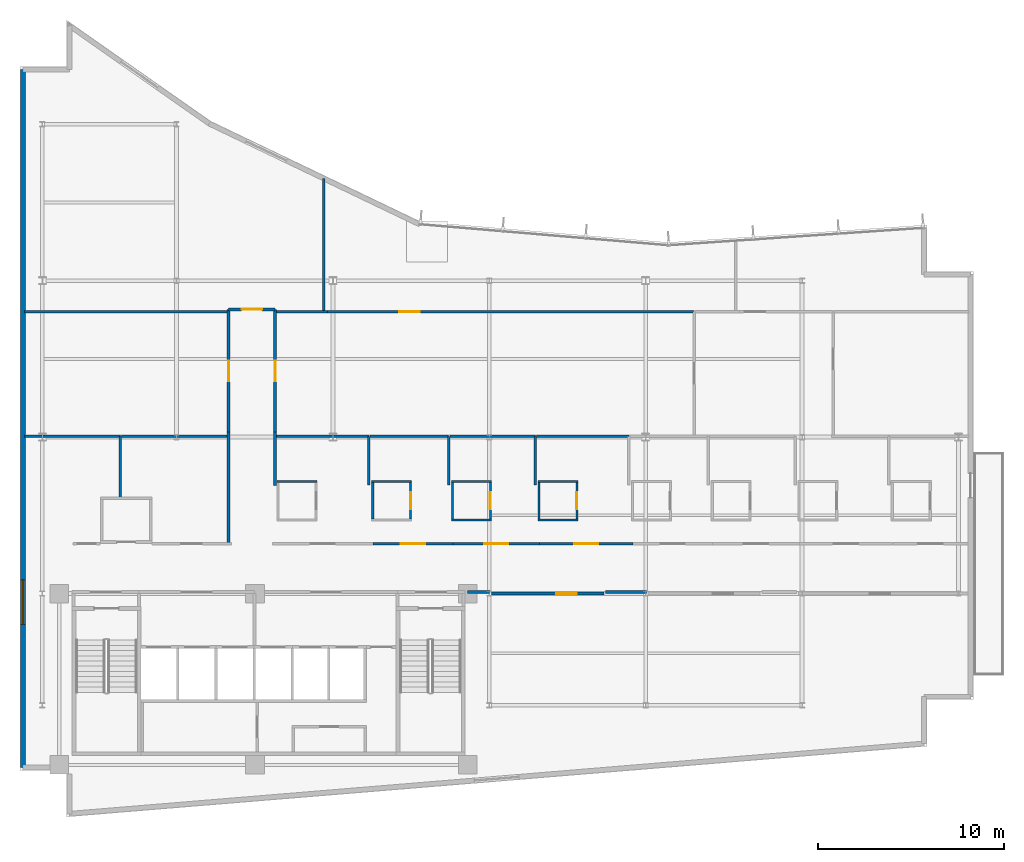
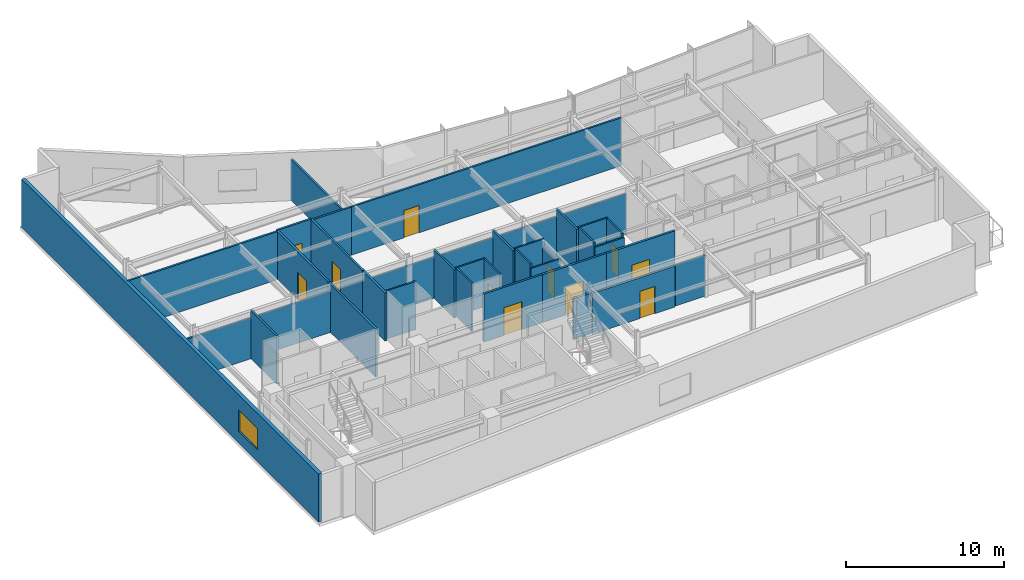
# One storey, part 10 of 15: 38 walls, 11 doors, 1 window, 12 openings.
"""IFC4 building model written with IfcOpenShell, lengths in metres."""

import ifcopenshell
import ifcopenshell.guid

model = None  # the IFC model being written
_history = None  # IfcOwnerHistory: only IFC2X3 demands one
_inside = {}  # id of a spatial element -> (the spatial element, [elements in it])
_under = {}  # id of a project, library or spatial element -> (it, [spatial elements below it])
_declared = {}  # id of a project -> (the project, [libraries it declares])
_typed = {}  # id of a type object -> (the type object, [elements of that type])
_made_of = {}  # id of a material, layer set ... -> (it, [elements and type objects made of it])


def new_model(schema):
    """Start an empty IFC model of exactly this schema.

    Asked for "IFC4X3", IfcOpenShell would pick the latest addendum, in which some entities
    have other attributes; the version numbers below select the first issue.
    IFC2X3 requires an IfcOwnerHistory on every rooted entity: one is made here for all.
    """
    global model, _history
    if schema == "IFC4X3":
        model = ifcopenshell.file(schema_version=(4, 3, 0, 0))
    else:
        model = ifcopenshell.file(schema=schema)
    _inside.clear()
    _under.clear()
    _declared.clear()
    _typed.clear()
    _made_of.clear()
    _history = None
    if model.schema == "IFC2X3":
        org = make("IfcOrganization", Name="unknown")
        user = make(
            "IfcPersonAndOrganization",
            ThePerson=make("IfcPerson", FamilyName="unknown"),
            TheOrganization=org,
        )
        app = make(
            "IfcApplication",
            ApplicationDeveloper=org,
            Version="unknown",
            ApplicationFullName="unknown",
            ApplicationIdentifier="unknown",
        )
        _history = make(
            "IfcOwnerHistory",
            OwningUser=user,
            OwningApplication=app,
            ChangeAction="ADDED",
            CreationDate=0,
        )
    return model


def make(cls, **values):
    """One entity of the class cls with the attributes given. An attribute that is None is left unset."""
    return model.create_entity(
        cls, **{name: value for name, value in values.items() if value is not None}
    )


def rooted(cls, **values):
    """An entity with a GlobalId (a new one), such as an element, a storey or a relation."""
    return make(cls, GlobalId=ifcopenshell.guid.new(), OwnerHistory=_history, **values)


def si_unit(unit_type, name, prefix=None):
    """IfcSIUnit, for example si_unit("LENGTHUNIT", "METRE", prefix="MILLI")."""
    return make("IfcSIUnit", UnitType=unit_type, Prefix=prefix, Name=name)


def assignment(units):
    """IfcUnitAssignment: the units of a project."""
    return None if units is None else make("IfcUnitAssignment", Units=units)


def point(xyz):
    """IfcCartesianPoint."""
    return None if xyz is None else make("IfcCartesianPoint", Coordinates=xyz)


def direction(xyz):
    """IfcDirection."""
    return None if xyz is None else make("IfcDirection", DirectionRatios=xyz)


def frame(location, z_axis=None, x_axis=None):
    """IfcAxis2Placement3D, a coordinate frame: its origin and axes. An axis left out is left unset."""
    return make(
        "IfcAxis2Placement3D",
        Location=point(location),
        Axis=direction(z_axis),
        RefDirection=direction(x_axis),
    )


def frame_2d(location, x_axis=None):
    """IfcAxis2Placement2D, a coordinate frame in the plane: its origin and x axis."""
    return make(
        "IfcAxis2Placement2D", Location=point(location), RefDirection=direction(x_axis)
    )


def origin():
    """The frame at (0, 0, 0) with its axes left unset."""
    return frame((0.0, 0.0, 0.0))


def place(relative_to, where):
    """IfcLocalPlacement: puts the frame where relative to a parent placement (None: the world)."""
    return make(
        "IfcLocalPlacement", PlacementRelTo=relative_to, RelativePlacement=where
    )


def context(
    kind, dimensions, precision=None, world=None, true_north=None, identifier=None
):
    """IfcGeometricRepresentationContext, for example the 3D "Model" context."""
    return make(
        "IfcGeometricRepresentationContext",
        ContextIdentifier=identifier,
        ContextType=kind,
        CoordinateSpaceDimension=dimensions,
        Precision=precision,
        WorldCoordinateSystem=world,
        TrueNorth=true_north,
    )


def subcontext(parent, identifier, kind, view, scale=None):
    """IfcGeometricRepresentationSubContext, for example "Body" below "Model"."""
    return make(
        "IfcGeometricRepresentationSubContext",
        ContextIdentifier=identifier,
        ContextType=kind,
        ParentContext=parent,
        TargetScale=scale,
        TargetView=view,
    )


def project(units=None, contexts=None):
    """IfcProject with its units and contexts."""
    return rooted(
        "IfcProject",
        Name="project",
        RepresentationContexts=contexts,
        UnitsInContext=assignment(units),
    )


def spatial(cls, under=None, at=None, **own):
    """A site, building, storey or space (cls), placed at a placement, below another one or the project."""
    s = rooted(cls, ObjectPlacement=at, **own)
    if under is not None:
        _under.setdefault(under.id(), (under, []))[1].append(s)
    return s


def profile(cls, at=None, kind="AREA", **sizes):
    """A parametric profile (cls). Its sizes go by their IFC names, for example OverallWidth=200.0."""
    return make(cls, ProfileType=kind, Position=at, **sizes)


def rectangle(**sizes):
    """IfcRectangleProfileDef."""
    return profile("IfcRectangleProfileDef", **sizes)


def extrude(swept, where, along, depth):
    """IfcExtrudedAreaSolid: the profile swept, set in the frame where, extruded along a direction by depth."""
    return make(
        "IfcExtrudedAreaSolid",
        SweptArea=swept,
        Position=where,
        ExtrudedDirection=direction(along),
        Depth=depth,
    )


def shape(context_of_items, identifier, shape_type, items):
    """IfcShapeRepresentation: the items that make up one representation, for example the "Body"."""
    return make(
        "IfcShapeRepresentation",
        ContextOfItems=context_of_items,
        RepresentationIdentifier=identifier,
        RepresentationType=shape_type,
        Items=items,
    )


def material(Name=None, Category=None):
    """IfcMaterial."""
    return make("IfcMaterial", Name=Name, Category=Category)


def layer(
    of_material, thickness, ventilated=None, Name=None, Category=None, Priority=None
):
    """IfcMaterialLayer: one layer of a wall or slab, of a material (None: an air gap)."""
    return make(
        "IfcMaterialLayer",
        Material=of_material,
        LayerThickness=thickness,
        IsVentilated=ventilated,
        Name=Name,
        Category=Category,
        Priority=Priority,
    )


def layer_set(layers, Name=None):
    """IfcMaterialLayerSet."""
    return make("IfcMaterialLayerSet", MaterialLayers=layers, LayerSetName=Name)


def made_of(thing, what):
    """Note that an element or type object is made of a material, layer set ...; save() writes the relation."""
    if what is not None:
        _made_of.setdefault(what.id(), (what, []))[1].append(thing)
    return thing


def type_object(cls, material=None, **own):
    """A type object (cls), such as IfcWallType, which elements share."""
    return made_of(rooted(cls, **own), material)


def element(
    cls,
    number,
    at=None,
    inside=None,
    cuts=None,
    type_object=None,
    material=None,
    context=None,
    identifier="Body",
    shape_type=None,
    held_by="IfcProductDefinitionShape",
    body=None,
    shapes=None,
    **own,
):
    """One element of the class cls, such as IfcWall. Its Tag is "e" and its number.

    at: its placement. inside: the storey or other place that contains it. cuts: it is an
    opening in that element (IfcRelVoidsElement). A single representation is given by context,
    identifier, shape_type and body (its items); several are given by shapes. held_by: the class
    of the entity that holds the representations. save() writes the other relations.
    """
    e = rooted(cls, Tag="e%d" % number, ObjectPlacement=at, **own)
    if body is not None:
        shapes = [shape(context, identifier, shape_type, body)]
    if shapes is not None:
        e.Representation = make(held_by, Representations=shapes)
    if inside is not None:
        _inside.setdefault(inside.id(), (inside, []))[1].append(e)
    if cuts is not None:
        rooted(
            "IfcRelVoidsElement", RelatingBuildingElement=cuts, RelatedOpeningElement=e
        )
    if type_object is not None:
        _typed.setdefault(type_object.id(), (type_object, []))[1].append(e)
    return made_of(e, material)


def fill(opening, filler):
    """IfcRelFillsElement: the door or window that sits in an opening."""
    return rooted(
        "IfcRelFillsElement",
        RelatingOpeningElement=opening,
        RelatedBuildingElement=filler,
    )


def aggregate(whole, parts):
    """IfcRelAggregates: a whole, such as a stair, and the parts it consists of."""
    return rooted("IfcRelAggregates", RelatingObject=whole, RelatedObjects=parts)


def save(model, path):
    """Write the relations noted so far, then the file.

    IfcRelAggregates (storeys below a building ...), IfcRelContainedInSpatialStructure (elements
    in a storey), IfcRelDefinesByType, IfcRelAssociatesMaterial and IfcRelDeclares: one each for
    every whole, place, type object, material and project.
    """
    for whole, parts in _under.values():
        aggregate(whole, parts)
    for where, things in _inside.values():
        rooted(
            "IfcRelContainedInSpatialStructure",
            RelatedElements=things,
            RelatingStructure=where,
        )
    for kind, things in _typed.values():
        rooted("IfcRelDefinesByType", RelatedObjects=things, RelatingType=kind)
    for what, things in _made_of.values():
        rooted("IfcRelAssociatesMaterial", RelatedObjects=things, RelatingMaterial=what)
    for by, libraries in _declared.values():
        rooted("IfcRelDeclares", RelatingContext=by, RelatedDefinitions=libraries)
    model.write(path)


model = new_model("IFC4")

# Units and contexts
model_context = context("Model", 3, precision=1e-05, world=origin(), true_north=direction((0.0, 1.0)))
body_context = subcontext(model_context, "Body", "Model", "MODEL_VIEW")
ifc_project = project(units=[si_unit("LENGTHUNIT", "METRE"), si_unit("AREAUNIT", "SQUARE_METRE"), si_unit("VOLUMEUNIT", "CUBIC_METRE"), si_unit("PLANEANGLEUNIT", "RADIAN"), si_unit("MASSUNIT", "GRAM", prefix="KILO")], contexts=[model_context])

# Site, building, storey
site_placement = place(None, origin())
site = spatial("IfcSite", under=ifc_project, at=site_placement, CompositionType="ELEMENT")
building_placement = place(site_placement, origin())
building = spatial("IfcBuilding", under=site, at=building_placement, Name="Varnakote Quay Hospital", CompositionType="ELEMENT")
storey_placement = place(building_placement, frame((0.0, 0.0, 200.0)))
storey = spatial("IfcBuildingStorey", under=building, at=storey_placement, Name="L49", CompositionType="ELEMENT", Elevation=200.0)

# Walls
ifc_material_1 = material(Name="Fire-rated acoustic gypsum stud wall", Category="gypsum")
ifc_layer_1 = layer(ifc_material_1, 0.159912109375)
ifc_layer_set_1 = layer_set([ifc_layer_1], Name="Fire-rated acoustic gypsum stud wall")
wall_type_1 = type_object("IfcWallType", Name="WL-COMP-160", PredefinedType="PARTITIONING", material=ifc_layer_set_1)
wall_1_placement = place(storey_placement, frame((24.02001953125, 12.080078125, 0.0), z_axis=(0.0, 0.0, 1.0), x_axis=(1.0, 0.0, 0.0)))
element("IfcWall", 1, at=wall_1_placement, inside=storey, type_object=wall_type_1, Name="L49 Corridor South Gap Wall", PredefinedType="PARTITIONING", context=body_context, shape_type="SweptSolid", body=[
    extrude(rectangle(XDim=1.21875, YDim=0.159912109375, at=frame_2d((0.609375, 0.0))), origin(), (0.0, 0.0, 1.0), 3.152099609375),
])
wall_2_placement = place(storey_placement, frame((31.439208984375, 12.080078125, 0.0), z_axis=(0.0, 0.0, 1.0), x_axis=(1.0, 0.0, 0.0)))
element("IfcWall", 2, at=wall_2_placement, inside=storey, type_object=wall_type_1, Name="L49 Corridor South Gap Wall", PredefinedType="PARTITIONING", context=body_context, shape_type="SweptSolid", body=[
    extrude(rectangle(XDim=2.199462890625, YDim=0.159912109375, at=frame_2d((1.099609375, 0.0))), origin(), (0.0, 0.0, 1.0), 3.152099609375),
])
ifc_material_2 = material(Name="Moisture-resistant bathroom partition", Category="gypsum")
ifc_layer_2 = layer(ifc_material_2, 0.114990234375)
ifc_layer_set_2 = layer_set([ifc_layer_2], Name="Moisture-resistant bathroom partition")
wall_type_2 = type_object("IfcWallType", Name="WL-ENS-115", PredefinedType="PARTITIONING", material=ifc_layer_set_2)
wall_3_placement = place(storey_placement, frame((13.804931640625, 18.017578125, 0.0), z_axis=(0.0, 0.0, 1.0), x_axis=(1.0, 0.0, 0.0)))
element("IfcWall", 3, at=wall_3_placement, inside=storey, type_object=wall_type_2, Name="L49 Inpatient En-Suite Bathroom 01 N Wall", PredefinedType="PARTITIONING", context=body_context, shape_type="SweptSolid", body=[
    extrude(rectangle(XDim=2.150146484375, YDim=0.114990234375, at=frame_2d((1.0751953125, 0.0))), origin(), (0.0, 0.0, 1.0), 3.7099609375),
])
wall_4_placement = place(storey_placement, frame((18.885009765625, 18.017578125, 0.0), z_axis=(0.0, 0.0, 1.0), x_axis=(1.0, 0.0, 0.0)))
element("IfcWall", 4, at=wall_4_placement, inside=storey, type_object=wall_type_2, Name="L49 Inpatient En-Suite Bathroom 02 N Wall", PredefinedType="PARTITIONING", context=body_context, shape_type="SweptSolid", body=[
    extrude(rectangle(XDim=2.14990234375, YDim=0.114990234375, at=frame_2d((1.074951171875, 0.0))), origin(), (0.0, 0.0, 1.0), 3.7099609375),
])
wall_5_placement = place(storey_placement, frame((18.9423828125, 16.010009765625, 0.0), z_axis=(0.0, 0.0, 1.0), x_axis=(0.0, 1.0, 0.0)))
element("IfcWall", 5, at=wall_5_placement, inside=storey, type_object=wall_type_2, Name="L49 Inpatient En-Suite Bathroom 02 W Wall", PredefinedType="PARTITIONING", context=body_context, shape_type="SweptSolid", body=[
    extrude(rectangle(XDim=1.949951171875, YDim=0.114990234375, at=frame_2d((0.97509765625, 0.0))), origin(), (0.0, 0.0, 1.0), 3.7099609375),
])

# Wall, opening, door
wall_6_placement = place(storey_placement, frame((20.9775390625, 16.010009765625, 0.0), z_axis=(0.0, 0.0, 1.0), x_axis=(0.0, 1.0, 0.0)))
wall_6 = element("IfcWall", 6, at=wall_6_placement, inside=storey, type_object=wall_type_2, Name="L49 Inpatient En-Suite Bathroom 02 E Wall", PredefinedType="PARTITIONING", context=body_context, shape_type="SweptSolid", body=[
    extrude(rectangle(XDim=1.949951171875, YDim=0.114990234375, at=frame_2d((0.97509765625, 0.0))), origin(), (0.0, 0.0, 1.0), 3.7099609375),
])
opening_1_placement = place(wall_6_placement, frame((0.514892578125, 0.0, 0.0)))
opening_1 = element("IfcOpeningElement", 7, at=opening_1_placement, cuts=wall_6, Name="Opening D-L49-ENS02", PredefinedType="OPENING", context=body_context, shape_type="SweptSolid", body=[
    extrude(rectangle(XDim=0.919921875, YDim=2.10009765625, at=frame_2d((0.4599609375, 1.050048828125))), frame((0.0, 0.0673828125, 0.0), z_axis=(0.0, -1.0, 0.0), x_axis=(1.0, 0.0, 0.0)), (0.0, 0.0, 1.0), 0.135009765625),
])
ifc_material_3 = material(Name="Moisture-sealed en-suite bathroom door")
door_type_1 = type_object("IfcDoorType", Name="DR-ENS-920x2100", OperationType="NOTDEFINED", PredefinedType="DOOR", material=ifc_material_3)
door_1_placement = place(opening_1_placement, origin())
door_1 = element("IfcDoor", 8, at=door_1_placement, inside=storey, type_object=door_type_1, Name="L49 Inpatient En-Suite Bathroom 02 Door", OperationType="SINGLE_SWING_LEFT", OverallHeight=2.10009765625, OverallWidth=0.919921875, PredefinedType="DOOR", context=body_context, shape_type="SweptSolid", body=[
    extrude(rectangle(XDim=0.919921875, YDim=2.10009765625, at=frame_2d((0.4599609375, 1.050048828125))), frame((0.0, 0.02490234375, 0.0), z_axis=(0.0, -1.0, 0.0), x_axis=(1.0, 0.0, 0.0)), (0.0, 0.0, 1.0), 0.050048828125),
])
fill(opening_1, door_1)

# Walls
wall_7_placement = place(storey_placement, frame((23.1650390625, 15.952392578125, 0.0), z_axis=(0.0, 0.0, 1.0), x_axis=(1.0, 0.0, 0.0)))
element("IfcWall", 9, at=wall_7_placement, inside=storey, type_object=wall_type_2, Name="L49 Inpatient En-Suite Bathroom 03 S Wall", PredefinedType="PARTITIONING", context=body_context, shape_type="SweptSolid", body=[
    extrude(rectangle(XDim=2.14990234375, YDim=0.114990234375, at=frame_2d((1.074951171875, 0.0))), origin(), (0.0, 0.0, 1.0), 3.428955078125),
])
wall_8_placement = place(storey_placement, frame((23.1650390625, 18.017578125, 0.0), z_axis=(0.0, 0.0, 1.0), x_axis=(1.0, 0.0, 0.0)))
element("IfcWall", 10, at=wall_8_placement, inside=storey, type_object=wall_type_2, Name="L49 Inpatient En-Suite Bathroom 03 N Wall", PredefinedType="PARTITIONING", context=body_context, shape_type="SweptSolid", body=[
    extrude(rectangle(XDim=2.14990234375, YDim=0.114990234375, at=frame_2d((1.074951171875, 0.0))), origin(), (0.0, 0.0, 1.0), 3.7099609375),
])
wall_9_placement = place(storey_placement, frame((23.222412109375, 16.010009765625, 0.0), z_axis=(0.0, 0.0, 1.0), x_axis=(0.0, 1.0, 0.0)))
element("IfcWall", 11, at=wall_9_placement, inside=storey, type_object=wall_type_2, Name="L49 Inpatient En-Suite Bathroom 03 W Wall", PredefinedType="PARTITIONING", context=body_context, shape_type="SweptSolid", body=[
    extrude(rectangle(XDim=1.949951171875, YDim=0.114990234375, at=frame_2d((0.97509765625, 0.0))), origin(), (0.0, 0.0, 1.0), 3.7099609375),
])

# Wall, opening, door
wall_10_placement = place(storey_placement, frame((25.257568359375, 16.010009765625, 0.0), z_axis=(0.0, 0.0, 1.0), x_axis=(0.0, 1.0, 0.0)))
wall_10 = element("IfcWall", 12, at=wall_10_placement, inside=storey, type_object=wall_type_2, Name="L49 Inpatient En-Suite Bathroom 03 E Wall", PredefinedType="PARTITIONING", context=body_context, shape_type="SweptSolid", body=[
    extrude(rectangle(XDim=1.949951171875, YDim=0.114990234375, at=frame_2d((0.97509765625, 0.0))), origin(), (0.0, 0.0, 1.0), 3.156982421875),
])
opening_2_placement = place(wall_10_placement, frame((0.514892578125, 0.0, 0.0)))
opening_2 = element("IfcOpeningElement", 13, at=opening_2_placement, cuts=wall_10, Name="Opening D-L49-ENS03", PredefinedType="OPENING", context=body_context, shape_type="SweptSolid", body=[
    extrude(rectangle(XDim=0.919921875, YDim=2.10009765625, at=frame_2d((0.4599609375, 1.050048828125))), frame((0.0, 0.0673828125, 0.0), z_axis=(0.0, -1.0, 0.0), x_axis=(1.0, 0.0, 0.0)), (0.0, 0.0, 1.0), 0.135009765625),
])
door_2_placement = place(opening_2_placement, origin())
door_2 = element("IfcDoor", 14, at=door_2_placement, inside=storey, type_object=door_type_1, Name="L49 Inpatient En-Suite Bathroom 03 Door", OperationType="SINGLE_SWING_RIGHT", OverallHeight=2.10009765625, OverallWidth=0.919921875, PredefinedType="DOOR", context=body_context, shape_type="SweptSolid", body=[
    extrude(rectangle(XDim=0.919921875, YDim=2.10009765625, at=frame_2d((0.4599609375, 1.050048828125))), frame((0.0, 0.02490234375, 0.0), z_axis=(0.0, -1.0, 0.0), x_axis=(1.0, 0.0, 0.0)), (0.0, 0.0, 1.0), 0.050048828125),
])
fill(opening_2, door_2)

# Walls
wall_11_placement = place(storey_placement, frame((27.81494140625, 15.952392578125, 0.0), z_axis=(0.0, 0.0, 1.0), x_axis=(1.0, 0.0, 0.0)))
element("IfcWall", 15, at=wall_11_placement, inside=storey, type_object=wall_type_2, Name="L49 Inpatient En-Suite Bathroom 04 S Wall", PredefinedType="PARTITIONING", context=body_context, shape_type="SweptSolid", body=[
    extrude(rectangle(XDim=2.150146484375, YDim=0.114990234375, at=frame_2d((1.0751953125, 0.0))), origin(), (0.0, 0.0, 1.0), 3.428955078125),
])
wall_12_placement = place(storey_placement, frame((27.81494140625, 18.017578125, 0.0), z_axis=(0.0, 0.0, 1.0), x_axis=(1.0, 0.0, 0.0)))
element("IfcWall", 16, at=wall_12_placement, inside=storey, type_object=wall_type_2, Name="L49 Inpatient En-Suite Bathroom 04 N Wall", PredefinedType="PARTITIONING", context=body_context, shape_type="SweptSolid", body=[
    extrude(rectangle(XDim=2.150146484375, YDim=0.114990234375, at=frame_2d((1.0751953125, 0.0))), origin(), (0.0, 0.0, 1.0), 3.7099609375),
])
wall_13_placement = place(storey_placement, frame((27.87255859375, 16.010009765625, 0.0), z_axis=(0.0, 0.0, 1.0), x_axis=(0.0, 1.0, 0.0)))
element("IfcWall", 17, at=wall_13_placement, inside=storey, type_object=wall_type_2, Name="L49 Inpatient En-Suite Bathroom 04 W Wall", PredefinedType="PARTITIONING", context=body_context, shape_type="SweptSolid", body=[
    extrude(rectangle(XDim=1.949951171875, YDim=0.114990234375, at=frame_2d((0.97509765625, 0.0))), origin(), (0.0, 0.0, 1.0), 3.7099609375),
])

# Wall, opening, door
wall_14_placement = place(storey_placement, frame((29.907470703125, 16.010009765625, 0.0), z_axis=(0.0, 0.0, 1.0), x_axis=(0.0, 1.0, 0.0)))
wall_14 = element("IfcWall", 18, at=wall_14_placement, inside=storey, type_object=wall_type_2, Name="L49 Inpatient En-Suite Bathroom 04 E Wall", PredefinedType="PARTITIONING", context=body_context, shape_type="SweptSolid", body=[
    extrude(rectangle(XDim=1.949951171875, YDim=0.114990234375, at=frame_2d((0.97509765625, 0.0))), origin(), (0.0, 0.0, 1.0), 3.7099609375),
])
opening_3_placement = place(wall_14_placement, frame((0.514892578125, 0.0, 0.0)))
opening_3 = element("IfcOpeningElement", 19, at=opening_3_placement, cuts=wall_14, Name="Opening D-L49-ENS04", PredefinedType="OPENING", context=body_context, shape_type="SweptSolid", body=[
    extrude(rectangle(XDim=0.919921875, YDim=2.10009765625, at=frame_2d((0.4599609375, 1.050048828125))), frame((0.0, 0.0673828125, 0.0), z_axis=(0.0, -1.0, 0.0), x_axis=(1.0, 0.0, 0.0)), (0.0, 0.0, 1.0), 0.135009765625),
])
door_3_placement = place(opening_3_placement, origin())
door_3 = element("IfcDoor", 20, at=door_3_placement, inside=storey, type_object=door_type_1, Name="L49 Inpatient En-Suite Bathroom 04 Door", OperationType="SINGLE_SWING_LEFT", OverallHeight=2.10009765625, OverallWidth=0.919921875, PredefinedType="DOOR", context=body_context, shape_type="SweptSolid", body=[
    extrude(rectangle(XDim=0.919921875, YDim=2.10009765625, at=frame_2d((0.4599609375, 1.050048828125))), frame((0.0, 0.02490234375, 0.0), z_axis=(0.0, -1.0, 0.0), x_axis=(1.0, 0.0, 0.0)), (0.0, 0.0, 1.0), 0.050048828125),
])
fill(opening_3, door_3)

# Wall, opening, window
ifc_material_4 = material(Name="Precast concrete N50 (f'c 50 MPa)", Category="concrete")
ifc_layer_3 = layer(ifc_material_4, 0.260009765625)
ifc_layer_set_3 = layer_set([ifc_layer_3], Name="Precast concrete N50 (f'c 50 MPa)")
wall_type_3 = type_object("IfcWallType", Name="WL-EXT-BRICK-260", PredefinedType="STANDARD", material=ifc_layer_set_3)
wall_15_placement = place(storey_placement, frame((0.159912109375, 40.139892578125, 0.0), z_axis=(0.0, 0.0, 1.0), x_axis=(0.0, -1.0, 0.0)))
wall_15 = element("IfcWall", 21, at=wall_15_placement, inside=storey, type_object=wall_type_3, Name="L49 Brick-Faced Precast Exterior Wall", PredefinedType="STANDARD", context=body_context, shape_type="SweptSolid", body=[
    extrude(rectangle(XDim=37.47998046875, YDim=0.260009765625, at=frame_2d((18.739990234375, 0.0))), origin(), (0.0, 0.0, 1.0), 3.7099609375),
])
opening_4_placement = place(wall_15_placement, frame((27.39990234375, 0.0, 0.89990234375)))
opening_4 = element("IfcOpeningElement", 22, at=opening_4_placement, cuts=wall_15, Name="Opening WN-0205", PredefinedType="OPENING", context=body_context, shape_type="SweptSolid", body=[
    extrude(rectangle(XDim=2.39990234375, YDim=1.64990234375, at=frame_2d((1.199951171875, 0.824951171875))), frame((0.0, 0.139892578125, 0.0), z_axis=(0.0, -1.0, 0.0), x_axis=(1.0, 0.0, 0.0)), (0.0, 0.0, 1.0), 0.280029296875),
])
ifc_material_5 = material(Name="Double-glazed low-E solar glass", Category="glass")
window_type = type_object("IfcWindowType", Name="WIN-CLIN-2400x1650", PartitioningType="SINGLE_PANEL", PredefinedType="WINDOW", material=ifc_material_5)
window_placement = place(opening_4_placement, origin())
window = element("IfcWindow", 23, at=window_placement, inside=storey, type_object=window_type, Name="L49 Solar-Control Clinical Window", OverallHeight=1.64990234375, OverallWidth=2.39990234375, PartitioningType="SINGLE_PANEL", PredefinedType="WINDOW", context=body_context, shape_type="SweptSolid", body=[
    extrude(rectangle(XDim=2.39990234375, YDim=1.64990234375, at=frame_2d((1.199951171875, 0.824951171875))), frame((0.0, 0.030029296875, 0.0), z_axis=(0.0, -1.0, 0.0), x_axis=(1.0, 0.0, 0.0)), (0.0, 0.0, 1.0), 0.06005859375),
])
fill(opening_4, window)

# Walls
ifc_material_6 = material(Name="Smoke-proof clinical partition", Category="gypsum")
ifc_layer_4 = layer(ifc_material_6, 0.135009765625)
ifc_layer_set_4 = layer_set([ifc_layer_4], Name="Smoke-proof clinical partition")
wall_type_4 = type_object("IfcWallType", Name="WL-SMOKE-135", PredefinedType="PARTITIONING", material=ifc_layer_set_4)
wall_16_placement = place(storey_placement, frame((5.389892578125, 17.139892578125, 0.0), z_axis=(0.0, 0.0, 1.0), x_axis=(0.0, 1.0, 0.0)))
element("IfcWall", 24, at=wall_16_placement, inside=storey, type_object=wall_type_4, Name="L49 Clinical Interior Partition", PredefinedType="PARTITIONING", context=body_context, shape_type="SweptSolid", body=[
    extrude(rectangle(XDim=3.300048828125, YDim=0.135009765625, at=frame_2d((1.64990234375, 0.0))), origin(), (0.0, 0.0, 1.0), 3.7099609375),
])
wall_17_placement = place(storey_placement, frame((5.389892578125, 20.43994140625, 0.0), z_axis=(0.0, 0.0, 1.0), x_axis=(-1.0, 0.0, 0.0)))
element("IfcWall", 25, at=wall_17_placement, inside=storey, type_object=wall_type_4, Name="L49 Clinical Interior Partition", PredefinedType="PARTITIONING", context=body_context, shape_type="SweptSolid", body=[
    extrude(rectangle(XDim=5.14990234375, YDim=0.135009765625, at=frame_2d((2.574951171875, 0.0))), origin(), (0.0, 0.0, 1.0), 3.152099609375),
])
wall_18_placement = place(storey_placement, frame((11.1201171875, 20.43994140625, 0.0), z_axis=(0.0, 0.0, 1.0), x_axis=(-1.0, 0.0, 0.0)))
element("IfcWall", 26, at=wall_18_placement, inside=storey, type_object=wall_type_4, Name="L49 Clinical Interior Partition", PredefinedType="PARTITIONING", context=body_context, shape_type="SweptSolid", body=[
    extrude(rectangle(XDim=5.672607421875, YDim=0.135009765625, at=frame_2d((2.83642578125, 0.0))), origin(), (0.0, 0.0, 1.0), 3.152099609375),
])
wall_19_placement = place(storey_placement, frame((18.739990234375, 17.83251953125, 0.0), z_axis=(0.0, 0.0, 1.0), x_axis=(0.0, 1.0, 0.0)))
element("IfcWall", 27, at=wall_19_placement, inside=storey, type_object=wall_type_4, Name="L49 Clinical Interior Partition", PredefinedType="PARTITIONING", context=body_context, shape_type="SweptSolid", body=[
    extrude(rectangle(XDim=2.607421875, YDim=0.135009765625, at=frame_2d((1.3037109375, 0.0))), origin(), (0.0, 0.0, 1.0), 3.7099609375),
])
wall_20_placement = place(storey_placement, frame((18.739990234375, 20.43994140625, 0.0), z_axis=(0.0, 0.0, 1.0), x_axis=(-1.0, 0.0, 0.0)))
element("IfcWall", 28, at=wall_20_placement, inside=storey, type_object=wall_type_4, Name="L49 Clinical Interior Partition", PredefinedType="PARTITIONING", context=body_context, shape_type="SweptSolid", body=[
    extrude(rectangle(XDim=4.9599609375, YDim=0.135009765625, at=frame_2d((2.47998046875, 0.0))), origin(), (0.0, 0.0, 1.0), 3.152099609375),
])
wall_21_placement = place(storey_placement, frame((23.02001953125, 17.83251953125, 0.0), z_axis=(0.0, 0.0, 1.0), x_axis=(0.0, 1.0, 0.0)))
element("IfcWall", 29, at=wall_21_placement, inside=storey, type_object=wall_type_4, Name="L49 Clinical Interior Partition", PredefinedType="PARTITIONING", context=body_context, shape_type="SweptSolid", body=[
    extrude(rectangle(XDim=2.607421875, YDim=0.135009765625, at=frame_2d((1.3037109375, 0.0))), origin(), (0.0, 0.0, 1.0), 3.7099609375),
])
wall_22_placement = place(storey_placement, frame((23.02001953125, 20.43994140625, 0.0), z_axis=(0.0, 0.0, 1.0), x_axis=(-1.0, 0.0, 0.0)))
element("IfcWall", 30, at=wall_22_placement, inside=storey, type_object=wall_type_4, Name="L49 Clinical Interior Partition", PredefinedType="PARTITIONING", context=body_context, shape_type="SweptSolid", body=[
    extrude(rectangle(XDim=4.222412109375, YDim=0.135009765625, at=frame_2d((2.111328125, 0.0))), origin(), (0.0, 0.0, 1.0), 3.152099609375),
])
wall_23_placement = place(storey_placement, frame((27.669921875, 17.83251953125, 0.0), z_axis=(0.0, 0.0, 1.0), x_axis=(0.0, 1.0, 0.0)))
element("IfcWall", 31, at=wall_23_placement, inside=storey, type_object=wall_type_4, Name="L49 Clinical Interior Partition", PredefinedType="PARTITIONING", context=body_context, shape_type="SweptSolid", body=[
    extrude(rectangle(XDim=2.607421875, YDim=0.135009765625, at=frame_2d((1.3037109375, 0.0))), origin(), (0.0, 0.0, 1.0), 3.7099609375),
])
wall_24_placement = place(storey_placement, frame((27.669921875, 20.43994140625, 0.0), z_axis=(0.0, 0.0, 1.0), x_axis=(-1.0, 0.0, 0.0)))
element("IfcWall", 32, at=wall_24_placement, inside=storey, type_object=wall_type_4, Name="L49 Clinical Interior Partition", PredefinedType="PARTITIONING", context=body_context, shape_type="SweptSolid", body=[
    extrude(rectangle(XDim=4.592529296875, YDim=0.135009765625, at=frame_2d((2.29638671875, 0.0))), origin(), (0.0, 0.0, 1.0), 3.152099609375),
])
wall_25_placement = place(storey_placement, frame((32.68994140625, 20.43994140625, 0.0), z_axis=(0.0, 0.0, 1.0), x_axis=(-1.0, 0.0, 0.0)))
element("IfcWall", 33, at=wall_25_placement, inside=storey, type_object=wall_type_4, Name="L49 Clinical Interior Partition", PredefinedType="PARTITIONING", context=body_context, shape_type="SweptSolid", body=[
    extrude(rectangle(XDim=4.96240234375, YDim=0.135009765625, at=frame_2d((2.481201171875, 0.0))), origin(), (0.0, 0.0, 1.0), 3.152099609375),
])
wall_26_placement = place(storey_placement, frame((11.1201171875, 27.139892578125, 0.0), z_axis=(0.0, 0.0, 1.0), x_axis=(-1.0, 0.0, 0.0)))
element("IfcWall", 34, at=wall_26_placement, inside=storey, type_object=wall_type_4, Name="L49 Clinical Interior Partition", PredefinedType="PARTITIONING", context=body_context, shape_type="SweptSolid", body=[
    extrude(rectangle(XDim=10.880126953125, YDim=0.135009765625, at=frame_2d((5.43994140625, 0.0))), origin(), (0.0, 0.0, 1.0), 3.7099609375),
])
wall_27_placement = place(storey_placement, frame((16.517578125, 27.139892578125, 0.0), z_axis=(0.0, 0.0, 1.0), x_axis=(-1.0, 0.0, 0.0)))
element("IfcWall", 35, at=wall_27_placement, inside=storey, type_object=wall_type_4, Name="L49 Clinical Interior Partition", PredefinedType="PARTITIONING", context=body_context, shape_type="SweptSolid", body=[
    extrude(rectangle(XDim=2.737548828125, YDim=0.135009765625, at=frame_2d((1.36865234375, 0.0))), origin(), (0.0, 0.0, 1.0), 3.7099609375),
])

# Wall, opening, door
wall_28_placement = place(storey_placement, frame((36.199951171875, 27.139892578125, 0.0), z_axis=(0.0, 0.0, 1.0), x_axis=(-1.0, 0.0, 0.0)))
wall_28 = element("IfcWall", 36, at=wall_28_placement, inside=storey, type_object=wall_type_4, Name="L49 Clinical Interior Partition", PredefinedType="PARTITIONING", context=body_context, shape_type="SweptSolid", body=[
    extrude(rectangle(XDim=19.680419921875, YDim=0.135009765625, at=frame_2d((9.84033203125, 0.0))), origin(), (0.0, 0.0, 1.0), 3.7099609375),
])
opening_5_placement = place(wall_28_placement, frame((14.744384765625, 0.0, 0.0)))
opening_5 = element("IfcOpeningElement", 37, at=opening_5_placement, cuts=wall_28, Name="Opening D-L49-MD06", PredefinedType="OPENING", context=body_context, shape_type="SweptSolid", body=[
    extrude(rectangle(XDim=1.10009765625, YDim=2.10009765625, at=frame_2d((0.550048828125, 1.050048828125))), frame((0.0, 0.077392578125, 0.0), z_axis=(0.0, -1.0, 0.0), x_axis=(1.0, 0.0, 0.0)), (0.0, 0.0, 1.0), 0.155029296875),
])
ifc_material_7 = material(Name="Acoustic timber clinical consult door", Category="wood")
door_type_2 = type_object("IfcDoorType", Name="DR-CLIN-FD30S-1100x2100", OperationType="NOTDEFINED", PredefinedType="DOOR", material=ifc_material_7)
door_4_placement = place(opening_5_placement, origin())
door_4 = element("IfcDoor", 38, at=door_4_placement, inside=storey, type_object=door_type_2, Name="L49 Cardiology Telemetry Treatment Suite Door", OperationType="SINGLE_SWING_LEFT", OverallHeight=2.10009765625, OverallWidth=1.10009765625, PredefinedType="DOOR", context=body_context, shape_type="SweptSolid", body=[
    extrude(rectangle(XDim=1.10009765625, YDim=2.10009765625, at=frame_2d((0.550048828125, 1.050048828125))), frame((0.0, 0.02490234375, 0.0), z_axis=(0.0, -1.0, 0.0), x_axis=(1.0, 0.0, 0.0)), (0.0, 0.0, 1.0), 0.050048828125),
])
fill(opening_5, door_4)

# Wall
wall_29_placement = place(storey_placement, frame((16.31005859375, 27.197509765625, 0.0), z_axis=(0.0, 0.0, 1.0), x_axis=(0.0, 1.0, 0.0)))
element("IfcWall", 39, at=wall_29_placement, inside=storey, type_object=wall_type_4, Name="L49 Clinical Interior Partition", PredefinedType="PARTITIONING", context=body_context, shape_type="SweptSolid", body=[
    extrude(rectangle(XDim=7.09326171875, YDim=0.135009765625, at=frame_2d((3.546630859375, 0.0))), origin(), (0.0, 0.0, 1.0), 3.156982421875),
])

# Wall, opening, door
ifc_material_8 = material(Name="Fire-rated clinical gypsum partition", Category="gypsum")
ifc_layer_5 = layer(ifc_material_8, 0.14990234375)
ifc_layer_set_5 = layer_set([ifc_layer_5], Name="Fire-rated clinical gypsum partition")
wall_type_5 = type_object("IfcWallType", Name="WL-WARD-150", PredefinedType="PARTITIONING", material=ifc_layer_set_5)
wall_30_placement = place(storey_placement, frame((31.35009765625, 12.0, 0.0), z_axis=(0.0, 0.0, 1.0), x_axis=(-1.0, 0.0, 0.0)))
wall_30 = element("IfcWall", 40, at=wall_30_placement, inside=storey, type_object=wall_type_5, Name="L49 Clinical Interior Partition", PredefinedType="PARTITIONING", context=body_context, shape_type="SweptSolid", body=[
    extrude(rectangle(XDim=6.022216796875, YDim=0.14990234375, at=frame_2d((3.01123046875, 0.0))), origin(), (0.0, 0.0, 1.0), 3.152099609375),
])
opening_6_placement = place(wall_30_placement, frame((1.443603515625, 0.0, 0.0)))
opening_6 = element("IfcOpeningElement", 41, at=opening_6_placement, cuts=wall_30, Name="Opening D-L49-RL1", PredefinedType="OPENING", context=body_context, shape_type="SweptSolid", body=[
    extrude(rectangle(XDim=1.10009765625, YDim=2.10009765625, at=frame_2d((0.550048828125, 1.050048828125))), frame((0.0, 0.0849609375, 0.0), z_axis=(0.0, -1.0, 0.0), x_axis=(1.0, 0.0, 0.0)), (0.0, 0.0, 1.0), 0.169921875),
])
door_5_placement = place(opening_6_placement, origin())
door_5 = element("IfcDoor", 42, at=door_5_placement, inside=storey, type_object=door_type_2, Name="L49 Day Infusion Treatment Suite Door", OperationType="SINGLE_SWING_RIGHT", OverallHeight=2.10009765625, OverallWidth=1.10009765625, PredefinedType="DOOR", context=body_context, shape_type="SweptSolid", body=[
    extrude(rectangle(XDim=1.10009765625, YDim=2.10009765625, at=frame_2d((0.550048828125, 1.050048828125))), frame((0.0, 0.02490234375, 0.0), z_axis=(0.0, -1.0, 0.0), x_axis=(1.0, 0.0, 0.0)), (0.0, 0.0, 1.0), 0.050048828125),
])
fill(opening_6, door_5)

wall_31_placement = place(storey_placement, frame((23.24609375, 14.679931640625, 0.0), z_axis=(0.0, 0.0, 1.0), x_axis=(-1.0, 0.0, 0.0)))
wall_31 = element("IfcWall", 43, at=wall_31_placement, inside=storey, type_object=wall_type_5, Name="L49 Clinical Interior Partition", PredefinedType="PARTITIONING", context=body_context, shape_type="SweptSolid", body=[
    extrude(rectangle(XDim=4.278076171875, YDim=0.14990234375, at=frame_2d((2.13916015625, 0.0))), origin(), (0.0, 0.0, 1.0), 3.7099609375),
])
opening_7_placement = place(wall_31_placement, frame((1.489013671875, 0.0, 0.0)))
opening_7 = element("IfcOpeningElement", 44, at=opening_7_placement, cuts=wall_31, Name="Opening D-L49-BR02", PredefinedType="OPENING", context=body_context, shape_type="SweptSolid", body=[
    extrude(rectangle(XDim=1.300048828125, YDim=2.14990234375, at=frame_2d((0.64990234375, 1.074951171875))), frame((0.0, 0.0849609375, 0.0), z_axis=(0.0, -1.0, 0.0), x_axis=(1.0, 0.0, 0.0)), (0.0, 0.0, 1.0), 0.169921875),
])
ifc_material_9 = material(Name="Solid-core timber clinical bed door", Category="wood")
door_type_3 = type_object("IfcDoorType", Name="DR-WARD-FD30S-1300x2150", OperationType="NOTDEFINED", PredefinedType="DOOR", material=ifc_material_9)
door_6_placement = place(opening_7_placement, origin())
door_6 = element("IfcDoor", 45, at=door_6_placement, inside=storey, type_object=door_type_3, Name="L49 Resident Care Bedroom 02 Door", OperationType="SINGLE_SWING_RIGHT", OverallHeight=2.14990234375, OverallWidth=1.300048828125, PredefinedType="DOOR", context=body_context, shape_type="SweptSolid", body=[
    extrude(rectangle(XDim=1.300048828125, YDim=2.14990234375, at=frame_2d((0.64990234375, 1.074951171875))), frame((0.0, 0.02490234375, 0.0), z_axis=(0.0, -1.0, 0.0), x_axis=(1.0, 0.0, 0.0)), (0.0, 0.0, 1.0), 0.050048828125),
])
fill(opening_7, door_6)

wall_32_placement = place(storey_placement, frame((27.89599609375, 14.679931640625, 0.0), z_axis=(0.0, 0.0, 1.0), x_axis=(-1.0, 0.0, 0.0)))
wall_32 = element("IfcWall", 46, at=wall_32_placement, inside=storey, type_object=wall_type_5, Name="L49 Clinical Interior Partition", PredefinedType="PARTITIONING", context=body_context, shape_type="SweptSolid", body=[
    extrude(rectangle(XDim=4.64794921875, YDim=0.14990234375, at=frame_2d((2.323974609375, 0.0))), origin(), (0.0, 0.0, 1.0), 3.7099609375),
])
opening_8_placement = place(wall_32_placement, frame((1.674072265625, 0.0, 0.0)))
opening_8 = element("IfcOpeningElement", 47, at=opening_8_placement, cuts=wall_32, Name="Opening D-L49-BR03", PredefinedType="OPENING", context=body_context, shape_type="SweptSolid", body=[
    extrude(rectangle(XDim=1.300048828125, YDim=2.14990234375, at=frame_2d((0.64990234375, 1.074951171875))), frame((0.0, 0.0849609375, 0.0), z_axis=(0.0, -1.0, 0.0), x_axis=(1.0, 0.0, 0.0)), (0.0, 0.0, 1.0), 0.169921875),
])
door_7_placement = place(opening_8_placement, origin())
door_7 = element("IfcDoor", 48, at=door_7_placement, inside=storey, type_object=door_type_3, Name="L49 Resident Care Bedroom 03 Door", OperationType="SINGLE_SWING_LEFT", OverallHeight=2.14990234375, OverallWidth=1.300048828125, PredefinedType="DOOR", context=body_context, shape_type="SweptSolid", body=[
    extrude(rectangle(XDim=1.300048828125, YDim=2.14990234375, at=frame_2d((0.64990234375, 1.074951171875))), frame((0.0, 0.02490234375, 0.0), z_axis=(0.0, -1.0, 0.0), x_axis=(1.0, 0.0, 0.0)), (0.0, 0.0, 1.0), 0.050048828125),
])
fill(opening_8, door_7)

wall_33_placement = place(storey_placement, frame((32.916015625, 14.679931640625, 0.0), z_axis=(0.0, 0.0, 1.0), x_axis=(-1.0, 0.0, 0.0)))
wall_33 = element("IfcWall", 49, at=wall_33_placement, inside=storey, type_object=wall_type_5, Name="L49 Clinical Interior Partition", PredefinedType="PARTITIONING", context=body_context, shape_type="SweptSolid", body=[
    extrude(rectangle(XDim=5.01806640625, YDim=0.14990234375, at=frame_2d((2.509033203125, 0.0))), origin(), (0.0, 0.0, 1.0), 3.7099609375),
])
opening_9_placement = place(wall_33_placement, frame((1.85888671875, 0.0, 0.0)))
opening_9 = element("IfcOpeningElement", 50, at=opening_9_placement, cuts=wall_33, Name="Opening D-L49-BR04", PredefinedType="OPENING", context=body_context, shape_type="SweptSolid", body=[
    extrude(rectangle(XDim=1.300048828125, YDim=2.14990234375, at=frame_2d((0.64990234375, 1.074951171875))), frame((0.0, 0.0849609375, 0.0), z_axis=(0.0, -1.0, 0.0), x_axis=(1.0, 0.0, 0.0)), (0.0, 0.0, 1.0), 0.169921875),
])
door_8_placement = place(opening_9_placement, origin())
door_8 = element("IfcDoor", 51, at=door_8_placement, inside=storey, type_object=door_type_3, Name="L49 Resident Care Bedroom 04 Door", OperationType="SINGLE_SWING_RIGHT", OverallHeight=2.14990234375, OverallWidth=1.300048828125, PredefinedType="DOOR", context=body_context, shape_type="SweptSolid", body=[
    extrude(rectangle(XDim=1.300048828125, YDim=2.14990234375, at=frame_2d((0.64990234375, 1.074951171875))), frame((0.0, 0.02490234375, 0.0), z_axis=(0.0, -1.0, 0.0), x_axis=(1.0, 0.0, 0.0)), (0.0, 0.0, 1.0), 0.050048828125),
])
fill(opening_9, door_8)

# Walls
wall_34_placement = place(storey_placement, frame((11.199951171875, 20.666015625, 0.0), z_axis=(0.0, 0.0, 1.0), x_axis=(0.0, -1.0, 0.0)))
element("IfcWall", 52, at=wall_34_placement, inside=storey, type_object=wall_type_5, Name="L49 Clinical Interior Partition", PredefinedType="PARTITIONING", context=body_context, shape_type="SweptSolid", body=[
    extrude(rectangle(XDim=5.966064453125, YDim=0.14990234375, at=frame_2d((2.98291015625, 0.0))), origin(), (0.0, 0.0, 1.0), 3.7099609375),
])
wall_35_placement = place(storey_placement, frame((13.699951171875, 17.81396484375, 0.0), z_axis=(0.0, 0.0, 1.0), x_axis=(0.0, 1.0, 0.0)))
element("IfcWall", 53, at=wall_35_placement, inside=storey, type_object=wall_type_5, Name="L49 Clinical Interior Partition", PredefinedType="PARTITIONING", context=body_context, shape_type="SweptSolid", body=[
    extrude(rectangle(XDim=2.85205078125, YDim=0.14990234375, at=frame_2d((1.426025390625, 0.0))), origin(), (0.0, 0.0, 1.0), 3.7099609375),
])

# Wall, opening, door
wall_36_placement = place(storey_placement, frame((11.199951171875, 27.260009765625, 0.0), z_axis=(0.0, 0.0, 1.0), x_axis=(0.0, -1.0, 0.0)))
wall_36 = element("IfcWall", 54, at=wall_36_placement, inside=storey, type_object=wall_type_5, Name="L49 Clinical Interior Partition", PredefinedType="PARTITIONING", context=body_context, shape_type="SweptSolid", body=[
    extrude(rectangle(XDim=6.592041015625, YDim=0.14990234375, at=frame_2d((3.2958984375, 0.0))), origin(), (0.0, 0.0, 1.0), 3.7099609375),
])
opening_10_placement = place(wall_36_placement, frame((2.74609375, 0.0, 0.0)))
opening_10 = element("IfcOpeningElement", 55, at=opening_10_placement, cuts=wall_36, Name="Opening D-L49-MD03", PredefinedType="OPENING", context=body_context, shape_type="SweptSolid", body=[
    extrude(rectangle(XDim=1.10009765625, YDim=2.10009765625, at=frame_2d((0.550048828125, 1.050048828125))), frame((0.0, 0.0849609375, 0.0), z_axis=(0.0, -1.0, 0.0), x_axis=(1.0, 0.0, 0.0)), (0.0, 0.0, 1.0), 0.169921875),
])
door_9_placement = place(opening_10_placement, origin())
door_9 = element("IfcDoor", 56, at=door_9_placement, inside=storey, type_object=door_type_2, Name="L49 Heart Team Clinical Consultation Suite Door", OperationType="SINGLE_SWING_LEFT", OverallHeight=2.10009765625, OverallWidth=1.10009765625, PredefinedType="DOOR", context=body_context, shape_type="SweptSolid", body=[
    extrude(rectangle(XDim=1.10009765625, YDim=2.10009765625, at=frame_2d((0.550048828125, 1.050048828125))), frame((0.0, 0.02490234375, 0.0), z_axis=(0.0, -1.0, 0.0), x_axis=(1.0, 0.0, 0.0)), (0.0, 0.0, 1.0), 0.050048828125),
])
fill(opening_10, door_9)

wall_37_placement = place(storey_placement, frame((13.699951171875, 20.66796875, 0.0), z_axis=(0.0, 0.0, 1.0), x_axis=(0.0, 1.0, 0.0)))
wall_37 = element("IfcWall", 57, at=wall_37_placement, inside=storey, type_object=wall_type_5, Name="L49 Clinical Interior Partition", PredefinedType="PARTITIONING", context=body_context, shape_type="SweptSolid", body=[
    extrude(rectangle(XDim=6.592041015625, YDim=0.14990234375, at=frame_2d((3.2958984375, 0.0))), origin(), (0.0, 0.0, 1.0), 3.7099609375),
])
opening_11_placement = place(wall_37_placement, frame((2.74609375, 0.0, 0.0)))
opening_11 = element("IfcOpeningElement", 58, at=opening_11_placement, cuts=wall_37, Name="Opening D-L49-MD04", PredefinedType="OPENING", context=body_context, shape_type="SweptSolid", body=[
    extrude(rectangle(XDim=1.10009765625, YDim=2.10009765625, at=frame_2d((0.550048828125, 1.050048828125))), frame((0.0, 0.0849609375, 0.0), z_axis=(0.0, -1.0, 0.0), x_axis=(1.0, 0.0, 0.0)), (0.0, 0.0, 1.0), 0.169921875),
])
door_10_placement = place(opening_11_placement, origin())
door_10 = element("IfcDoor", 59, at=door_10_placement, inside=storey, type_object=door_type_2, Name="L49 Cardiac Ward Pantry Door", OperationType="SINGLE_SWING_RIGHT", OverallHeight=2.10009765625, OverallWidth=1.10009765625, PredefinedType="DOOR", context=body_context, shape_type="SweptSolid", body=[
    extrude(rectangle(XDim=1.10009765625, YDim=2.10009765625, at=frame_2d((0.550048828125, 1.050048828125))), frame((0.0, 0.02490234375, 0.0), z_axis=(0.0, -1.0, 0.0), x_axis=(1.0, 0.0, 0.0)), (0.0, 0.0, 1.0), 0.050048828125),
])
fill(opening_11, door_10)

wall_38_placement = place(storey_placement, frame((13.699951171875, 27.260009765625, 0.0), z_axis=(0.0, 0.0, 1.0), x_axis=(-1.0, 0.0, 0.0)))
wall_38 = element("IfcWall", 60, at=wall_38_placement, inside=storey, type_object=wall_type_5, Name="L49 Clinical Interior Partition", PredefinedType="PARTITIONING", context=body_context, shape_type="SweptSolid", body=[
    extrude(rectangle(XDim=2.5, YDim=0.14990234375, at=frame_2d((1.25, 0.0))), origin(), (0.0, 0.0, 1.0), 3.7099609375),
])
opening_12_placement = place(wall_38_placement, frame((0.699951171875, 0.0, 0.0)))
opening_12 = element("IfcOpeningElement", 61, at=opening_12_placement, cuts=wall_38, Name="Opening D-L49-MD05", PredefinedType="OPENING", context=body_context, shape_type="SweptSolid", body=[
    extrude(rectangle(XDim=1.10009765625, YDim=2.10009765625, at=frame_2d((0.550048828125, 1.050048828125))), frame((0.0, 0.0849609375, 0.0), z_axis=(0.0, -1.0, 0.0), x_axis=(1.0, 0.0, 0.0)), (0.0, 0.0, 1.0), 0.169921875),
])
door_11_placement = place(opening_12_placement, origin())
door_11 = element("IfcDoor", 62, at=door_11_placement, inside=storey, type_object=door_type_2, Name="L49 Ward Nurse Station Office Door", OperationType="SINGLE_SWING_LEFT", OverallHeight=2.10009765625, OverallWidth=1.10009765625, PredefinedType="DOOR", context=body_context, shape_type="SweptSolid", body=[
    extrude(rectangle(XDim=1.10009765625, YDim=2.10009765625, at=frame_2d((0.550048828125, 1.050048828125))), frame((0.0, 0.02490234375, 0.0), z_axis=(0.0, -1.0, 0.0), x_axis=(1.0, 0.0, 0.0)), (0.0, 0.0, 1.0), 0.050048828125),
])
fill(opening_12, door_11)

save(model, "model.ifc")
